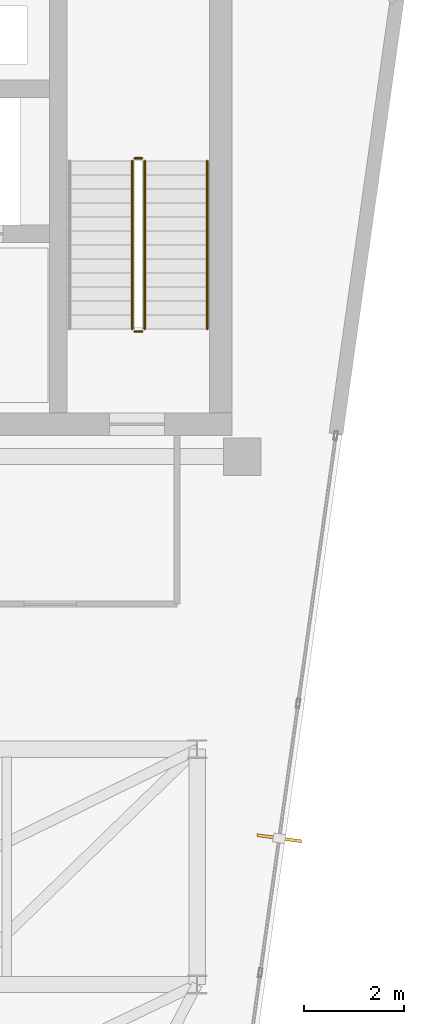
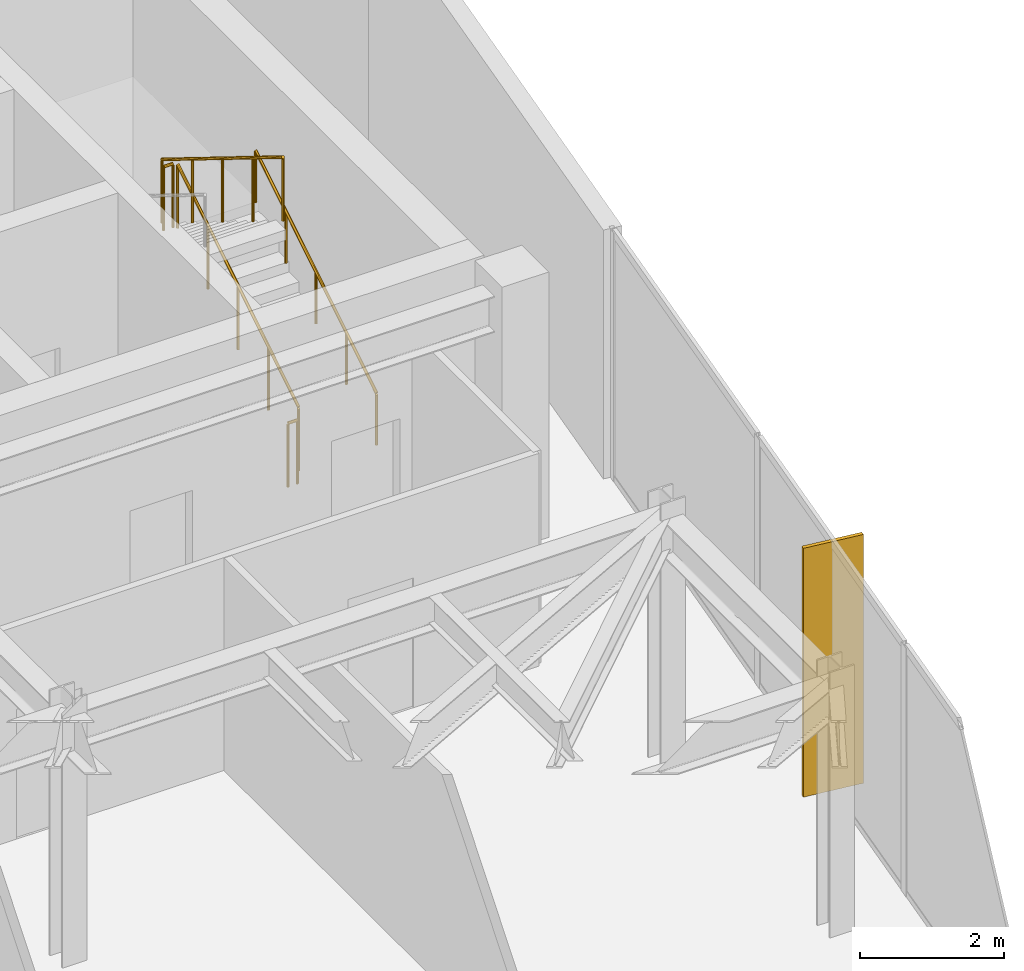
# One storey, part 17 of 17: 5 railings, 1 shading device.
"""IFC4 building model written with IfcOpenShell, lengths in metres."""

from ifc_helpers import new_model, si_unit, direction, frame, origin, origin_2d, place, context, subcontext, project, spatial, rectangle, circle, extrude, material, layer, layer_set, type_object, element, save


model = new_model("IFC4")

# Units and contexts
model_context = context("Model", 3, precision=1e-05, world=origin(), true_north=direction((0.0, 1.0)))
body_context = subcontext(model_context, "Body", "Model", "MODEL_VIEW")
ifc_project = project(units=[si_unit("LENGTHUNIT", "METRE"), si_unit("AREAUNIT", "SQUARE_METRE"), si_unit("VOLUMEUNIT", "CUBIC_METRE"), si_unit("PLANEANGLEUNIT", "RADIAN"), si_unit("MASSUNIT", "GRAM", prefix="KILO")], contexts=[model_context])

# Site, building, storey
site_placement = place(None, origin())
site = spatial("IfcSite", under=ifc_project, at=site_placement, CompositionType="ELEMENT")
building_placement = place(site_placement, origin())
building = spatial("IfcBuilding", under=site, at=building_placement, Name="Kravanh Interchange Tower", CompositionType="ELEMENT")
storey_placement = place(building_placement, frame((0.0, 0.0, 311.10009765625)))
storey = spatial("IfcBuildingStorey", under=building, at=storey_placement, Name="L77", CompositionType="ELEMENT", Elevation=311.10009765625)

# Railings
ifc_material_1 = material(Name="Structural Steel S355", Category="steel")
ifc_layer_1 = layer(ifc_material_1, 0.050048828125)
ifc_layer_set_1 = layer_set([ifc_layer_1], Name="Stair Well Guardrail Structural Steel S355 1100mm")
railing_type_1 = type_object("IfcRailingType", Name="Stair Well Guardrail Structural Steel S355 1100mm", PredefinedType="GUARDRAIL", material=ifc_layer_set_1)
railing_1_placement = place(storey_placement, frame((64.550048828125, 39.89990234375, 0.173095703125)))
element("IfcRailing", 1, at=railing_1_placement, inside=storey, type_object=railing_type_1, Name="L77 ST1 stair guard 1", PredefinedType="GUARDRAIL", context=body_context, shape_type="SweptSolid", body=[
    extrude(circle(Radius=0.02392578125, at=origin_2d()), frame((0.0, 0.0, 1.076171875), z_axis=(0.0, 0.850623216509, 0.525775754039), x_axis=(-1.0, 0.0, 0.0)), (0.0, 0.0, 1.0), 3.9501953125),
    extrude(circle(Radius=0.02099609375, at=origin_2d()), origin(), (0.0, 0.0, 1.0), 1.052001953125),
    extrude(circle(Radius=0.02099609375, at=origin_2d()), frame((0.0, 0.840087890625, 0.519287109375)), (0.0, 0.0, 1.0), 1.052001953125),
    extrude(circle(Radius=0.02099609375, at=origin_2d()), frame((0.0, 1.68017578125, 1.03857421875)), (0.0, 0.0, 1.0), 1.052001953125),
    extrude(circle(Radius=0.02099609375, at=origin_2d()), frame((0.0, 2.52001953125, 1.5576171875)), (0.0, 0.0, 1.0), 1.052001953125),
    extrude(circle(Radius=0.02099609375, at=origin_2d()), frame((0.0, 3.360107421875, 2.076904296875)), (0.0, 0.0, 1.0), 1.052001953125),
])
railing_2_placement = place(storey_placement, frame((64.5, 43.31005859375, 2.25)))
element("IfcRailing", 2, at=railing_2_placement, inside=storey, type_object=railing_type_1, Name="L77 ST1 stair guard 2", PredefinedType="GUARDRAIL", context=body_context, shape_type="SweptSolid", body=[
    extrude(circle(Radius=0.02392578125, at=origin_2d()), frame((0.0, 0.0, 1.076171875), z_axis=(-1.0, 0.0, 0.0), x_axis=(0.0, -1.0, 0.0)), (0.0, 0.0, 1.0), 0.14990234375),
    extrude(circle(Radius=0.02099609375, at=origin_2d()), origin(), (0.0, 0.0, 1.0), 1.052001953125),
    extrude(circle(Radius=0.02099609375, at=origin_2d()), frame((-0.14990234375, 0.0, 0.0)), (0.0, 0.0, 1.0), 1.052001953125),
])
railing_3_placement = place(storey_placement, frame((64.300048828125, 43.260009765625, 2.423095703125)))
element("IfcRailing", 3, at=railing_3_placement, inside=storey, type_object=railing_type_1, Name="L77 ST1 stair guard 3", PredefinedType="GUARDRAIL", context=body_context, shape_type="SweptSolid", body=[
    extrude(circle(Radius=0.02392578125, at=origin_2d()), frame((0.0, 0.0, 1.076171875), z_axis=(0.0, -0.850623216509, 0.525775754039), x_axis=(1.0, 0.0, 0.0)), (0.0, 0.0, 1.0), 3.9501953125),
    extrude(circle(Radius=0.02099609375, at=origin_2d()), origin(), (0.0, 0.0, 1.0), 1.052001953125),
    extrude(circle(Radius=0.02099609375, at=origin_2d()), frame((0.0, -0.840087890625, 0.519287109375)), (0.0, 0.0, 1.0), 1.052001953125),
    extrude(circle(Radius=0.02099609375, at=origin_2d()), frame((0.0, -1.68017578125, 1.03857421875)), (0.0, 0.0, 1.0), 1.052001953125),
    extrude(circle(Radius=0.02099609375, at=origin_2d()), frame((0.0, -2.52001953125, 1.5576171875)), (0.0, 0.0, 1.0), 1.052001953125),
    extrude(circle(Radius=0.02099609375, at=origin_2d()), frame((0.0, -3.360107421875, 2.076904296875)), (0.0, 0.0, 1.0), 1.052001953125),
])
railing_4_placement = place(storey_placement, frame((64.5, 39.85009765625, 0.0)))
element("IfcRailing", 4, at=railing_4_placement, inside=storey, type_object=railing_type_1, Name="L77 ST1 stair guard 4", PredefinedType="GUARDRAIL", context=body_context, shape_type="SweptSolid", body=[
    extrude(circle(Radius=0.02392578125, at=origin_2d()), frame((0.0, 0.0, 1.076171875), z_axis=(-1.0, 0.0, 0.0), x_axis=(0.0, -1.0, 0.0)), (0.0, 0.0, 1.0), 0.14990234375),
    extrude(circle(Radius=0.02099609375, at=origin_2d()), origin(), (0.0, 0.0, 1.0), 1.052001953125),
    extrude(circle(Radius=0.02099609375, at=origin_2d()), frame((-0.14990234375, 0.0, 0.0)), (0.0, 0.0, 1.0), 1.052001953125),
])
ifc_material_2 = material(Name="Stainless Steel 304", Category="steel")
ifc_layer_2 = layer(ifc_material_2, 0.044921875)
ifc_layer_set_2 = layer_set([ifc_layer_2], Name="Tubular Stair Handrail Stainless 304 900mm")
railing_type_2 = type_object("IfcRailingType", Name="Tubular Stair Handrail Stainless 304 900mm", PredefinedType="HANDRAIL", material=ifc_layer_set_2)
railing_5_placement = place(storey_placement, frame((65.800048828125, 39.89990234375, 0.173095703125)))
element("IfcRailing", 5, at=railing_5_placement, inside=storey, type_object=railing_type_2, Name="L77 ST1 stair handrail 1", PredefinedType="HANDRAIL", context=body_context, shape_type="SweptSolid", body=[
    extrude(circle(Radius=0.02392578125, at=origin_2d()), frame((0.0, 0.0, 0.8759765625), z_axis=(0.0, 0.850623216509, 0.525775754039), x_axis=(-1.0, 0.0, 0.0)), (0.0, 0.0, 1.0), 3.9501953125),
    extrude(circle(Radius=0.02099609375, at=origin_2d()), origin(), (0.0, 0.0, 1.0), 0.851806640625),
    extrude(circle(Radius=0.02099609375, at=origin_2d()), frame((0.0, 0.840087890625, 0.519287109375)), (0.0, 0.0, 1.0), 0.851806640625),
    extrude(circle(Radius=0.02099609375, at=origin_2d()), frame((0.0, 1.68017578125, 1.03857421875)), (0.0, 0.0, 1.0), 0.851806640625),
    extrude(circle(Radius=0.02099609375, at=origin_2d()), frame((0.0, 2.52001953125, 1.5576171875)), (0.0, 0.0, 1.0), 0.851806640625),
    extrude(circle(Radius=0.02099609375, at=origin_2d()), frame((0.0, 3.360107421875, 2.076904296875)), (0.0, 0.0, 1.0), 0.851806640625),
])

# Shading device
ifc_material_3 = material(Name="Anodised Champagne Bronze Aluminium", Category="aluminium")
ifc_layer_3 = layer(ifc_material_3, 0.06005859375)
ifc_layer_set_3 = layer_set([ifc_layer_3], Name="Vertical Bronze Solar Fin 900mm")
shading_device_type = type_object("IfcShadingDeviceType", Name="Vertical Bronze Solar Fin 900mm", PredefinedType="USERDEFINED", material=ifc_layer_set_3)
shading_device_placement = place(storey_placement, frame((67.239501953125, 29.720703125, 0.0), z_axis=(0.0, 0.0, 1.0), x_axis=(0.990267783496, -0.139175130571, 0.0)))
element("IfcShadingDevice", 6, at=shading_device_placement, inside=storey, type_object=shading_device_type, Name="L77 BRONZE SOLAR FIN 2", ObjectType="FIN", PredefinedType="USERDEFINED", context=body_context, shape_type="SweptSolid", body=[
    extrude(rectangle(XDim=0.89990234375, YDim=0.06005859375, at=origin_2d()), origin(), (0.0, 0.0, 1.0), 4.219970703125),
])

save(model, "model.ifc")
